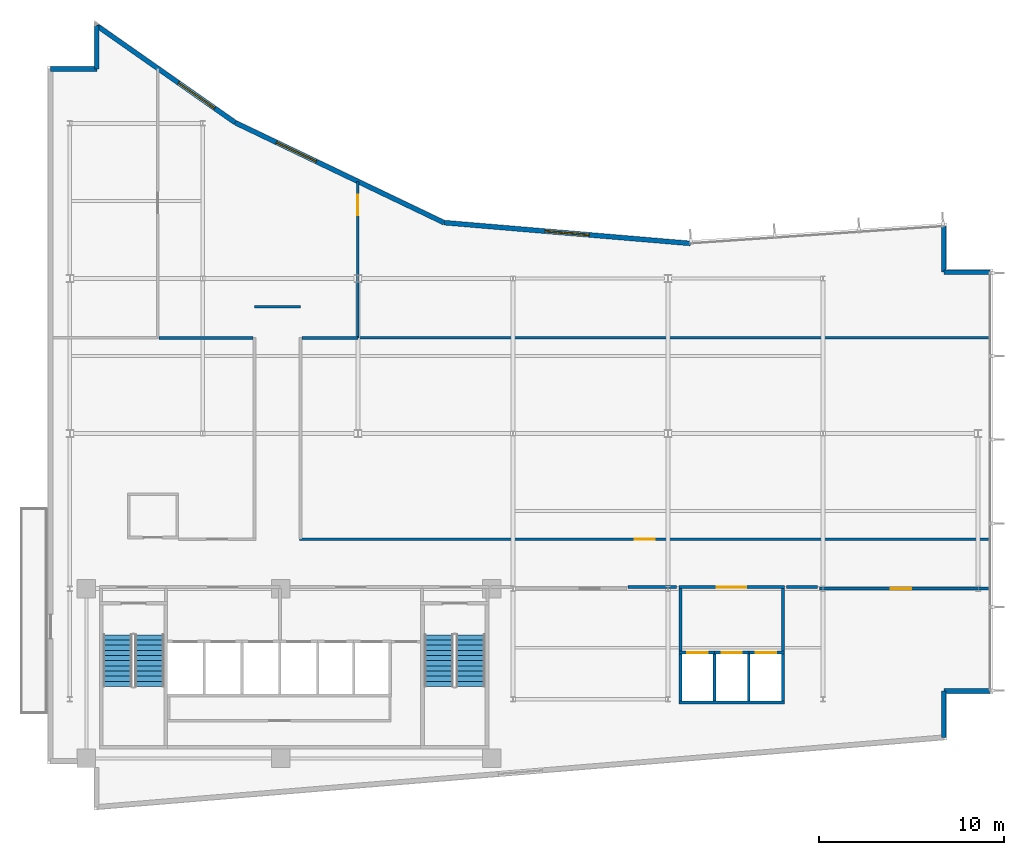
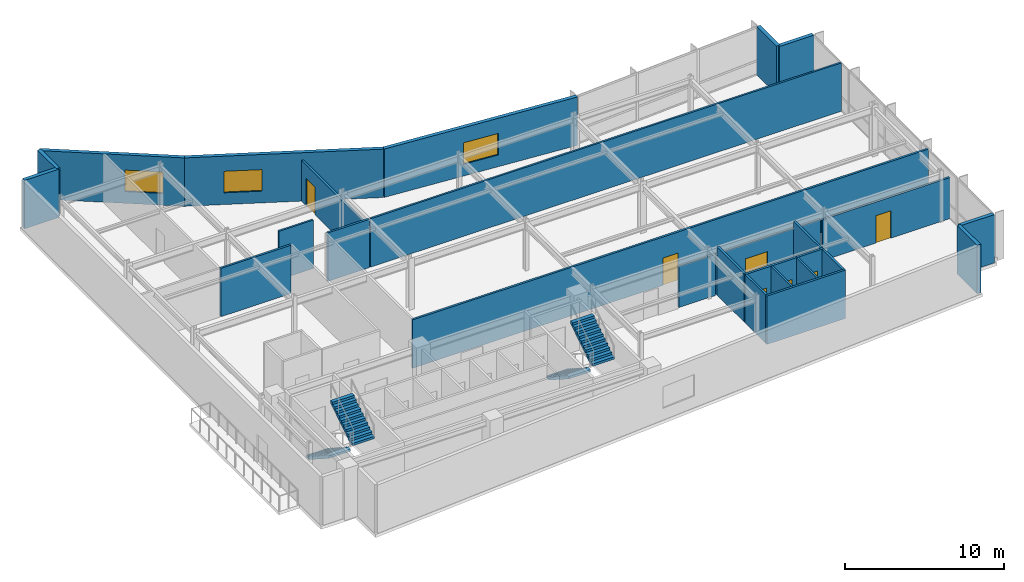
# One storey, part 12 of 16: 29 walls, 7 doors, 4 stair flights, 3 windows, 10 openings, 2 elements without a shape of their own.
"""IFC4 building model written with IfcOpenShell, lengths in metres."""

import ifcopenshell
import ifcopenshell.guid

model = None  # the IFC model being written
_history = None  # IfcOwnerHistory: only IFC2X3 demands one
_inside = {}  # id of a spatial element -> (the spatial element, [elements in it])
_under = {}  # id of a project, library or spatial element -> (it, [spatial elements below it])
_declared = {}  # id of a project -> (the project, [libraries it declares])
_typed = {}  # id of a type object -> (the type object, [elements of that type])
_made_of = {}  # id of a material, layer set ... -> (it, [elements and type objects made of it])


def new_model(schema):
    """Start an empty IFC model of exactly this schema.

    Asked for "IFC4X3", IfcOpenShell would pick the latest addendum, in which some entities
    have other attributes; the version numbers below select the first issue.
    IFC2X3 requires an IfcOwnerHistory on every rooted entity: one is made here for all.
    """
    global model, _history
    if schema == "IFC4X3":
        model = ifcopenshell.file(schema_version=(4, 3, 0, 0))
    else:
        model = ifcopenshell.file(schema=schema)
    _inside.clear()
    _under.clear()
    _declared.clear()
    _typed.clear()
    _made_of.clear()
    _history = None
    if model.schema == "IFC2X3":
        org = make("IfcOrganization", Name="unknown")
        user = make(
            "IfcPersonAndOrganization",
            ThePerson=make("IfcPerson", FamilyName="unknown"),
            TheOrganization=org,
        )
        app = make(
            "IfcApplication",
            ApplicationDeveloper=org,
            Version="unknown",
            ApplicationFullName="unknown",
            ApplicationIdentifier="unknown",
        )
        _history = make(
            "IfcOwnerHistory",
            OwningUser=user,
            OwningApplication=app,
            ChangeAction="ADDED",
            CreationDate=0,
        )
    return model


def make(cls, **values):
    """One entity of the class cls with the attributes given. An attribute that is None is left unset."""
    return model.create_entity(
        cls, **{name: value for name, value in values.items() if value is not None}
    )


def rooted(cls, **values):
    """An entity with a GlobalId (a new one), such as an element, a storey or a relation."""
    return make(cls, GlobalId=ifcopenshell.guid.new(), OwnerHistory=_history, **values)


def si_unit(unit_type, name, prefix=None):
    """IfcSIUnit, for example si_unit("LENGTHUNIT", "METRE", prefix="MILLI")."""
    return make("IfcSIUnit", UnitType=unit_type, Prefix=prefix, Name=name)


def assignment(units):
    """IfcUnitAssignment: the units of a project."""
    return None if units is None else make("IfcUnitAssignment", Units=units)


def point(xyz):
    """IfcCartesianPoint."""
    return None if xyz is None else make("IfcCartesianPoint", Coordinates=xyz)


def direction(xyz):
    """IfcDirection."""
    return None if xyz is None else make("IfcDirection", DirectionRatios=xyz)


def frame(location, z_axis=None, x_axis=None):
    """IfcAxis2Placement3D, a coordinate frame: its origin and axes. An axis left out is left unset."""
    return make(
        "IfcAxis2Placement3D",
        Location=point(location),
        Axis=direction(z_axis),
        RefDirection=direction(x_axis),
    )


def frame_2d(location, x_axis=None):
    """IfcAxis2Placement2D, a coordinate frame in the plane: its origin and x axis."""
    return make(
        "IfcAxis2Placement2D", Location=point(location), RefDirection=direction(x_axis)
    )


def origin():
    """The frame at (0, 0, 0) with its axes left unset."""
    return frame((0.0, 0.0, 0.0))


def place(relative_to, where):
    """IfcLocalPlacement: puts the frame where relative to a parent placement (None: the world)."""
    return make(
        "IfcLocalPlacement", PlacementRelTo=relative_to, RelativePlacement=where
    )


def context(
    kind, dimensions, precision=None, world=None, true_north=None, identifier=None
):
    """IfcGeometricRepresentationContext, for example the 3D "Model" context."""
    return make(
        "IfcGeometricRepresentationContext",
        ContextIdentifier=identifier,
        ContextType=kind,
        CoordinateSpaceDimension=dimensions,
        Precision=precision,
        WorldCoordinateSystem=world,
        TrueNorth=true_north,
    )


def subcontext(parent, identifier, kind, view, scale=None):
    """IfcGeometricRepresentationSubContext, for example "Body" below "Model"."""
    return make(
        "IfcGeometricRepresentationSubContext",
        ContextIdentifier=identifier,
        ContextType=kind,
        ParentContext=parent,
        TargetScale=scale,
        TargetView=view,
    )


def project(units=None, contexts=None):
    """IfcProject with its units and contexts."""
    return rooted(
        "IfcProject",
        Name="project",
        RepresentationContexts=contexts,
        UnitsInContext=assignment(units),
    )


def spatial(cls, under=None, at=None, **own):
    """A site, building, storey or space (cls), placed at a placement, below another one or the project."""
    s = rooted(cls, ObjectPlacement=at, **own)
    if under is not None:
        _under.setdefault(under.id(), (under, []))[1].append(s)
    return s


def polyline(points):
    """IfcPolyline through the points."""
    return make("IfcPolyline", Points=[point(p) for p in points])


def profile(cls, at=None, kind="AREA", **sizes):
    """A parametric profile (cls). Its sizes go by their IFC names, for example OverallWidth=200.0."""
    return make(cls, ProfileType=kind, Position=at, **sizes)


def rectangle(**sizes):
    """IfcRectangleProfileDef."""
    return profile("IfcRectangleProfileDef", **sizes)


def outline(outer, holes=None, kind="AREA"):
    """IfcArbitraryClosedProfileDef: a profile drawn as a closed curve; with holes, ...WithVoids."""
    if holes is None:
        return make("IfcArbitraryClosedProfileDef", ProfileType=kind, OuterCurve=outer)
    return make(
        "IfcArbitraryProfileDefWithVoids",
        ProfileType=kind,
        OuterCurve=outer,
        InnerCurves=holes,
    )


def extrude(swept, where, along, depth):
    """IfcExtrudedAreaSolid: the profile swept, set in the frame where, extruded along a direction by depth."""
    return make(
        "IfcExtrudedAreaSolid",
        SweptArea=swept,
        Position=where,
        ExtrudedDirection=direction(along),
        Depth=depth,
    )


def shape(context_of_items, identifier, shape_type, items):
    """IfcShapeRepresentation: the items that make up one representation, for example the "Body"."""
    return make(
        "IfcShapeRepresentation",
        ContextOfItems=context_of_items,
        RepresentationIdentifier=identifier,
        RepresentationType=shape_type,
        Items=items,
    )


def material(Name=None, Category=None):
    """IfcMaterial."""
    return make("IfcMaterial", Name=Name, Category=Category)


def layer(
    of_material, thickness, ventilated=None, Name=None, Category=None, Priority=None
):
    """IfcMaterialLayer: one layer of a wall or slab, of a material (None: an air gap)."""
    return make(
        "IfcMaterialLayer",
        Material=of_material,
        LayerThickness=thickness,
        IsVentilated=ventilated,
        Name=Name,
        Category=Category,
        Priority=Priority,
    )


def layer_set(layers, Name=None):
    """IfcMaterialLayerSet."""
    return make("IfcMaterialLayerSet", MaterialLayers=layers, LayerSetName=Name)


def made_of(thing, what):
    """Note that an element or type object is made of a material, layer set ...; save() writes the relation."""
    if what is not None:
        _made_of.setdefault(what.id(), (what, []))[1].append(thing)
    return thing


def type_object(cls, material=None, **own):
    """A type object (cls), such as IfcWallType, which elements share."""
    return made_of(rooted(cls, **own), material)


def element(
    cls,
    number,
    at=None,
    inside=None,
    cuts=None,
    type_object=None,
    material=None,
    context=None,
    identifier="Body",
    shape_type=None,
    held_by="IfcProductDefinitionShape",
    body=None,
    shapes=None,
    **own,
):
    """One element of the class cls, such as IfcWall. Its Tag is "e" and its number.

    at: its placement. inside: the storey or other place that contains it. cuts: it is an
    opening in that element (IfcRelVoidsElement). A single representation is given by context,
    identifier, shape_type and body (its items); several are given by shapes. held_by: the class
    of the entity that holds the representations. save() writes the other relations.
    """
    e = rooted(cls, Tag="e%d" % number, ObjectPlacement=at, **own)
    if body is not None:
        shapes = [shape(context, identifier, shape_type, body)]
    if shapes is not None:
        e.Representation = make(held_by, Representations=shapes)
    if inside is not None:
        _inside.setdefault(inside.id(), (inside, []))[1].append(e)
    if cuts is not None:
        rooted(
            "IfcRelVoidsElement", RelatingBuildingElement=cuts, RelatedOpeningElement=e
        )
    if type_object is not None:
        _typed.setdefault(type_object.id(), (type_object, []))[1].append(e)
    return made_of(e, material)


def fill(opening, filler):
    """IfcRelFillsElement: the door or window that sits in an opening."""
    return rooted(
        "IfcRelFillsElement",
        RelatingOpeningElement=opening,
        RelatedBuildingElement=filler,
    )


def aggregate(whole, parts):
    """IfcRelAggregates: a whole, such as a stair, and the parts it consists of."""
    return rooted("IfcRelAggregates", RelatingObject=whole, RelatedObjects=parts)


def save(model, path):
    """Write the relations noted so far, then the file.

    IfcRelAggregates (storeys below a building ...), IfcRelContainedInSpatialStructure (elements
    in a storey), IfcRelDefinesByType, IfcRelAssociatesMaterial and IfcRelDeclares: one each for
    every whole, place, type object, material and project.
    """
    for whole, parts in _under.values():
        aggregate(whole, parts)
    for where, things in _inside.values():
        rooted(
            "IfcRelContainedInSpatialStructure",
            RelatedElements=things,
            RelatingStructure=where,
        )
    for kind, things in _typed.values():
        rooted("IfcRelDefinesByType", RelatedObjects=things, RelatingType=kind)
    for what, things in _made_of.values():
        rooted("IfcRelAssociatesMaterial", RelatedObjects=things, RelatingMaterial=what)
    for by, libraries in _declared.values():
        rooted("IfcRelDeclares", RelatingContext=by, RelatedDefinitions=libraries)
    model.write(path)


model = new_model("IFC4")

# Units and contexts
model_context = context("Model", 3, precision=1e-05, world=origin(), true_north=direction((0.0, 1.0)))
body_context = subcontext(model_context, "Body", "Model", "MODEL_VIEW")
ifc_project = project(units=[si_unit("LENGTHUNIT", "METRE"), si_unit("AREAUNIT", "SQUARE_METRE"), si_unit("VOLUMEUNIT", "CUBIC_METRE"), si_unit("PLANEANGLEUNIT", "RADIAN"), si_unit("MASSUNIT", "GRAM", prefix="KILO")], contexts=[model_context])

# Site, building, storey
site_placement = place(None, origin())
site = spatial("IfcSite", under=ifc_project, at=site_placement, CompositionType="ELEMENT")
building_placement = place(site_placement, origin())
building = spatial("IfcBuilding", under=site, at=building_placement, Name="Varnakote Quay Hospital", CompositionType="ELEMENT")
storey_placement = place(building_placement, frame((0.0, 0.0, 180.25)))
storey = spatial("IfcBuildingStorey", under=building, at=storey_placement, Name="L44", CompositionType="ELEMENT", Elevation=180.25)

# Walls
ifc_material_1 = material(Name="Fire-rated acoustic gypsum stud wall", Category="gypsum")
ifc_layer_1 = layer(ifc_material_1, 0.159912109375)
ifc_layer_set_1 = layer_set([ifc_layer_1], Name="Fire-rated acoustic gypsum stud wall")
wall_type_1 = type_object("IfcWallType", Name="WL-COMP-160", PredefinedType="PARTITIONING", material=ifc_layer_set_1)
for number, where, z_axis, x_axis, name in (
    (1, (34.27001953125, 8.610107421875, 0.0), (0.0, 0.0, 1.0), (0.0, 1.0, 0.0), "L44 Mid-Rise Lift Lobby West Wall"),
    (2, (39.830078125, 8.610107421875, 0.0), (0.0, 0.0, 1.0), (0.0, 1.0, 0.0), "L44 Mid-Rise Lift Lobby East Wall"),
):
    element("IfcWall", number, at=place(storey_placement, frame(where, z_axis=z_axis, x_axis=x_axis)), inside=storey, type_object=wall_type_1, Name=name, PredefinedType="PARTITIONING", context=body_context, shape_type="SweptSolid", body=[
        extrude(rectangle(XDim=3.389892578125, YDim=0.159912109375, at=frame_2d((1.69482421875, 0.0))), origin(), (0.0, 0.0, 1.0), 3.7099609375),
    ])

# Wall, opening, door
wall_1_placement = place(storey_placement, frame((34.18994140625, 12.080078125, 0.0), z_axis=(0.0, 0.0, 1.0), x_axis=(1.0, 0.0, 0.0)))
wall_1 = element("IfcWall", 3, at=wall_1_placement, inside=storey, type_object=wall_type_1, Name="L44 Mid-Rise Lift Lobby North Wall", PredefinedType="PARTITIONING", context=body_context, shape_type="SweptSolid", body=[
    extrude(rectangle(XDim=5.719970703125, YDim=0.159912109375, at=frame_2d((2.85986328125, 0.0))), origin(), (0.0, 0.0, 1.0), 3.152099609375),
])
opening_1_placement = place(wall_1_placement, frame((2.06005859375, 0.0, 0.0)))
opening_1 = element("IfcOpeningElement", 4, at=opening_1_placement, cuts=wall_1, Name="Opening D-PML-L44", PredefinedType="OPENING", context=body_context, shape_type="SweptSolid", body=[
    extrude(rectangle(XDim=1.60009765625, YDim=2.050048828125, at=frame_2d((0.800048828125, 1.02490234375))), frame((0.0, 0.08984375, 0.0), z_axis=(0.0, -1.0, 0.0), x_axis=(1.0, 0.0, 0.0)), (0.0, 0.0, 1.0), 0.179931640625),
])
ifc_material_2 = material(Name="Fire-rated double smoke lobby door")
door_type_1 = type_object("IfcDoorType", Name="DR-LOBBY-FD60S-1600x2150", OperationType="NOTDEFINED", PredefinedType="DOOR", material=ifc_material_2)
door_1_placement = place(opening_1_placement, origin())
door_1 = element("IfcDoor", 5, at=door_1_placement, inside=storey, type_object=door_type_1, Name="L44 Mid-Rise Passenger Concourse Vestibule Door", OperationType="DOUBLE_DOOR_SINGLE_SWING", OverallHeight=2.050048828125, OverallWidth=1.60009765625, PredefinedType="DOOR", context=body_context, shape_type="SweptSolid", body=[
    extrude(rectangle(XDim=1.60009765625, YDim=2.050048828125, at=frame_2d((0.800048828125, 1.02490234375))), frame((0.0, 0.02490234375, 0.0), z_axis=(0.0, -1.0, 0.0), x_axis=(1.0, 0.0, 0.0)), (0.0, 0.0, 1.0), 0.050048828125),
])
fill(opening_1, door_1)

# Walls
wall_2_placement = place(storey_placement, frame((31.439208984375, 12.080078125, 0.0), z_axis=(0.0, 0.0, 1.0), x_axis=(1.0, 0.0, 0.0)))
element("IfcWall", 6, at=wall_2_placement, inside=storey, type_object=wall_type_1, Name="L44 Corridor South Gap Wall", PredefinedType="PARTITIONING", context=body_context, shape_type="SweptSolid", body=[
    extrude(rectangle(XDim=2.630859375, YDim=0.159912109375, at=frame_2d((1.3154296875, 0.0))), origin(), (0.0, 0.0, 1.0), 3.152099609375),
])
wall_3_placement = place(storey_placement, frame((40.030029296875, 12.080078125, 0.0), z_axis=(0.0, 0.0, 1.0), x_axis=(1.0, 0.0, 0.0)))
element("IfcWall", 7, at=wall_3_placement, inside=storey, type_object=wall_type_1, Name="L44 Corridor South Gap Wall", PredefinedType="PARTITIONING", context=body_context, shape_type="SweptSolid", body=[
    extrude(rectangle(XDim=1.6806640625, YDim=0.159912109375, at=frame_2d((0.84033203125, 0.0))), origin(), (0.0, 0.0, 1.0), 3.152099609375),
])
ifc_material_3 = material(Name="Precast concrete N50 (f'c 50 MPa)", Category="concrete")
ifc_layer_2 = layer(ifc_material_3, 0.260009765625)
ifc_layer_set_2 = layer_set([ifc_layer_2], Name="Precast concrete N50 (f'c 50 MPa)")
wall_type_2 = type_object("IfcWallType", Name="WL-EXT-BRICK-260", PredefinedType="STANDARD", material=ifc_layer_set_2)
wall_4_placement = place(storey_placement, frame((48.5400390625, 3.947509765625, 0.0), z_axis=(0.0, 0.0, 1.0), x_axis=(0.0, 1.0, 0.0)))
element("IfcWall", 8, at=wall_4_placement, inside=storey, type_object=wall_type_2, Name="L44 Brick-Faced Precast Exterior Wall", PredefinedType="STANDARD", context=body_context, shape_type="SweptSolid", body=[
    extrude(rectangle(XDim=2.512451171875, YDim=0.260009765625, at=frame_2d((1.25634765625, 0.0))), origin(), (0.0, 0.0, 1.0), 3.7099609375),
])
for number, where, z_axis, x_axis, name in (
    (9, (48.5400390625, 6.4599609375, 0.0), (0.0, 0.0, 1.0), (1.0, 0.0, 0.0), "L44 Brick-Faced Precast Exterior Wall"),
    (10, (51.0400390625, 29.139892578125, 0.0), (0.0, 0.0, 1.0), (-1.0, 0.0, 0.0), "L44 Brick-Faced Precast Exterior Wall"),
):
    element("IfcWall", number, at=place(storey_placement, frame(where, z_axis=z_axis, x_axis=x_axis)), inside=storey, type_object=wall_type_2, Name=name, PredefinedType="STANDARD", context=body_context, shape_type="SweptSolid", body=[
        extrude(rectangle(XDim=2.5, YDim=0.260009765625, at=frame_2d((1.25, 0.0))), origin(), (0.0, 0.0, 1.0), 3.7099609375),
    ])
wall_5_placement = place(storey_placement, frame((48.5400390625, 29.139892578125, 0.0), z_axis=(0.0, 0.0, 1.0), x_axis=(0.0, 1.0, 0.0)))
element("IfcWall", 11, at=wall_5_placement, inside=storey, type_object=wall_type_2, Name="L44 Brick-Faced Precast Exterior Wall", PredefinedType="STANDARD", context=body_context, shape_type="SweptSolid", body=[
    extrude(rectangle(XDim=2.489013671875, YDim=0.260009765625, at=frame_2d((1.24462890625, 0.0))), origin(), (0.0, 0.0, 1.0), 3.7099609375),
])

# Wall, opening, window
wall_6_placement = place(storey_placement, frame((34.814697265625, 30.695556640625, 0.0), z_axis=(0.0, 0.0, 1.0), x_axis=(-0.996454704935, 0.084130975344, 0.0)))
wall_6 = element("IfcWall", 12, at=wall_6_placement, inside=storey, type_object=wall_type_2, Name="L44 Brick-Faced Precast Exterior Wall", PredefinedType="STANDARD", context=body_context, shape_type="SweptSolid", body=[
    extrude(rectangle(XDim=13.401123046875, YDim=0.260009765625, at=frame_2d((6.70068359375, 0.0))), origin(), (0.0, 0.0, 1.0), 3.7099609375),
])
opening_2_placement = place(wall_6_placement, frame((5.50048828125, 0.0, 0.89990234375)))
opening_2 = element("IfcOpeningElement", 13, at=opening_2_placement, cuts=wall_6, Name="Opening WN-0183", PredefinedType="OPENING", context=body_context, shape_type="SweptSolid", body=[
    extrude(rectangle(XDim=2.39990234375, YDim=1.64990234375, at=frame_2d((1.199951171875, 0.824951171875))), frame((0.0, 0.139892578125, 0.0), z_axis=(0.0, -1.0, 0.0), x_axis=(1.0, 0.0, 0.0)), (0.0, 0.0, 1.0), 0.280029296875),
])
ifc_material_4 = material(Name="Double-glazed low-E solar glass", Category="glass")
window_type = type_object("IfcWindowType", Name="WIN-CLIN-2400x1650", PartitioningType="SINGLE_PANEL", PredefinedType="WINDOW", material=ifc_material_4)
window_1_placement = place(opening_2_placement, origin())
window_1 = element("IfcWindow", 14, at=window_1_placement, inside=storey, type_object=window_type, Name="L44 Solar-Control Clinical Window", OverallHeight=1.64990234375, OverallWidth=2.39990234375, PartitioningType="SINGLE_PANEL", PredefinedType="WINDOW", context=body_context, shape_type="SweptSolid", body=[
    extrude(rectangle(XDim=2.39990234375, YDim=1.64990234375, at=frame_2d((1.199951171875, 0.824951171875))), frame((0.0, 0.030029296875, 0.0), z_axis=(0.0, -1.0, 0.0), x_axis=(1.0, 0.0, 0.0)), (0.0, 0.0, 1.0), 0.06005859375),
])
fill(opening_2, window_1)

wall_7_placement = place(storey_placement, frame((21.461181640625, 31.822998046875, 0.0), z_axis=(0.0, 0.0, 1.0), x_axis=(-0.901858094827, 0.432032379336, 0.0)))
wall_7 = element("IfcWall", 15, at=wall_7_placement, inside=storey, type_object=wall_type_2, Name="L44 Brick-Faced Precast Exterior Wall", PredefinedType="STANDARD", context=body_context, shape_type="SweptSolid", body=[
    extrude(rectangle(XDim=12.5322265625, YDim=0.260009765625, at=frame_2d((6.26611328125, 0.0))), origin(), (0.0, 0.0, 1.0), 3.7099609375),
])
opening_3_placement = place(wall_7_placement, frame((7.660400390625, 0.0, 0.89990234375)))
opening_3 = element("IfcOpeningElement", 16, at=opening_3_placement, cuts=wall_7, Name="Opening WN-0184", PredefinedType="OPENING", context=body_context, shape_type="SweptSolid", body=[
    extrude(rectangle(XDim=2.39990234375, YDim=1.64990234375, at=frame_2d((1.199951171875, 0.824951171875))), frame((0.0, 0.139892578125, 0.0), z_axis=(0.0, -1.0, 0.0), x_axis=(1.0, 0.0, 0.0)), (0.0, 0.0, 1.0), 0.280029296875),
])
window_2_placement = place(opening_3_placement, origin())
window_2 = element("IfcWindow", 17, at=window_2_placement, inside=storey, type_object=window_type, Name="L44 Solar-Control Clinical Window", OverallHeight=1.64990234375, OverallWidth=2.39990234375, PartitioningType="SINGLE_PANEL", PredefinedType="WINDOW", context=body_context, shape_type="SweptSolid", body=[
    extrude(rectangle(XDim=2.39990234375, YDim=1.64990234375, at=frame_2d((1.199951171875, 0.824951171875))), frame((0.0, 0.030029296875, 0.0), z_axis=(0.0, -1.0, 0.0), x_axis=(1.0, 0.0, 0.0)), (0.0, 0.0, 1.0), 0.06005859375),
])
fill(opening_3, window_2)

wall_8_placement = place(storey_placement, frame((10.158935546875, 37.2373046875, 0.0), z_axis=(0.0, 0.0, 1.0), x_axis=(-0.818933702389, 0.57388813465, 0.0)))
wall_8 = element("IfcWall", 18, at=wall_8_placement, inside=storey, type_object=wall_type_2, Name="L44 Brick-Faced Precast Exterior Wall", PredefinedType="STANDARD", context=body_context, shape_type="SweptSolid", body=[
    extrude(rectangle(XDim=9.156982421875, YDim=0.260009765625, at=frame_2d((4.57861328125, 0.0))), origin(), (0.0, 0.0, 1.0), 3.7099609375),
])
opening_4_placement = place(wall_8_placement, frame((1.353759765625, 0.0, 0.89990234375)))
opening_4 = element("IfcOpeningElement", 19, at=opening_4_placement, cuts=wall_8, Name="Opening WN-0185", PredefinedType="OPENING", context=body_context, shape_type="SweptSolid", body=[
    extrude(rectangle(XDim=2.39990234375, YDim=1.64990234375, at=frame_2d((1.199951171875, 0.824951171875))), frame((0.0, 0.139892578125, 0.0), z_axis=(0.0, -1.0, 0.0), x_axis=(1.0, 0.0, 0.0)), (0.0, 0.0, 1.0), 0.280029296875),
])
window_3_placement = place(opening_4_placement, origin())
window_3 = element("IfcWindow", 20, at=window_3_placement, inside=storey, type_object=window_type, Name="L44 Solar-Control Clinical Window", OverallHeight=1.64990234375, OverallWidth=2.39990234375, PartitioningType="SINGLE_PANEL", PredefinedType="WINDOW", context=body_context, shape_type="SweptSolid", body=[
    extrude(rectangle(XDim=2.39990234375, YDim=1.64990234375, at=frame_2d((1.199951171875, 0.824951171875))), frame((0.0, 0.030029296875, 0.0), z_axis=(0.0, -1.0, 0.0), x_axis=(1.0, 0.0, 0.0)), (0.0, 0.0, 1.0), 0.06005859375),
])
fill(opening_4, window_3)

# Walls
wall_9_placement = place(storey_placement, frame((2.659912109375, 42.492431640625, 0.0), z_axis=(0.0, 0.0, 1.0), x_axis=(0.0, -1.0, 0.0)))
element("IfcWall", 21, at=wall_9_placement, inside=storey, type_object=wall_type_2, Name="L44 Brick-Faced Precast Exterior Wall", PredefinedType="STANDARD", context=body_context, shape_type="SweptSolid", body=[
    extrude(rectangle(XDim=2.3525390625, YDim=0.260009765625, at=frame_2d((1.17626953125, 0.0))), origin(), (0.0, 0.0, 1.0), 3.7099609375),
])
wall_10_placement = place(storey_placement, frame((2.659912109375, 40.139892578125, 0.0), z_axis=(0.0, 0.0, 1.0), x_axis=(-1.0, 0.0, 0.0)))
element("IfcWall", 22, at=wall_10_placement, inside=storey, type_object=wall_type_2, Name="L44 Brick-Faced Precast Exterior Wall", PredefinedType="STANDARD", context=body_context, shape_type="SweptSolid", body=[
    extrude(rectangle(XDim=2.5, YDim=0.260009765625, at=frame_2d((1.25, 0.0))), origin(), (0.0, 0.0, 1.0), 3.7099609375),
])
ifc_material_5 = material(Name="Concrete N50 (f'c 50 MPa)", Category="concrete")
ifc_layer_3 = layer(ifc_material_5, 0.14990234375)
ifc_layer_set_3 = layer_set([ifc_layer_3], Name="Concrete N50 (f'c 50 MPa)")
wall_type_3 = type_object("IfcWallType", Name="WL-SHAFT-N50-150", PredefinedType="SHEAR", material=ifc_layer_set_3)
for number, where, z_axis, x_axis, name in (
    (23, (36.125, 5.89990234375, 0.0), (0.0, 0.0, 1.0), (0.0, 1.0, 0.0), "L44 LF-PM1 Hoistway Divider Wall"),
    (24, (37.97509765625, 5.89990234375, 0.0), (0.0, 0.0, 1.0), (0.0, 1.0, 0.0), "L44 LF-PM2 Hoistway Divider Wall"),
):
    element("IfcWall", number, at=place(storey_placement, frame(where, z_axis=z_axis, x_axis=x_axis)), inside=storey, type_object=wall_type_3, Name=name, PredefinedType="SHEAR", context=body_context, shape_type="SweptSolid", body=[
        extrude(rectangle(XDim=2.550048828125, YDim=0.14990234375, at=frame_2d((1.27490234375, 0.0))), origin(), (0.0, 0.0, 1.0), 3.7099609375),
    ])
ifc_material_6 = material(Name="Concrete N50 (f'c 50 MPa)", Category="concrete")
ifc_layer_4 = layer(ifc_material_6, 0.159912109375)
ifc_layer_set_4 = layer_set([ifc_layer_4], Name="Concrete N50 (f'c 50 MPa)")
wall_type_4 = type_object("IfcWallType", Name="WL-SHAFT-N50-160", PredefinedType="SHEAR", material=ifc_layer_set_4)
wall_11_placement = place(storey_placement, frame((34.18994140625, 5.820068359375, 0.0), z_axis=(0.0, 0.0, 1.0), x_axis=(1.0, 0.0, 0.0)))
element("IfcWall", 25, at=wall_11_placement, inside=storey, type_object=wall_type_4, Name="L44 MID Lift Bank Back Shear Wall", PredefinedType="SHEAR", context=body_context, shape_type="SweptSolid", body=[
    extrude(rectangle(XDim=5.719970703125, YDim=0.159912109375, at=frame_2d((2.85986328125, 0.0))), origin(), (0.0, 0.0, 1.0), 3.7099609375),
])
for number, where, z_axis, x_axis, name in (
    (26, (34.27001953125, 5.89990234375, 0.0), (0.0, 0.0, 1.0), (0.0, 1.0, 0.0), "L44 MID Lift Bank West Shear Wall"),
    (27, (39.830078125, 5.89990234375, 0.0), (0.0, 0.0, 1.0), (0.0, 1.0, 0.0), "L44 MID Lift Bank East Shear Wall"),
):
    element("IfcWall", number, at=place(storey_placement, frame(where, z_axis=z_axis, x_axis=x_axis)), inside=storey, type_object=wall_type_4, Name=name, PredefinedType="SHEAR", context=body_context, shape_type="SweptSolid", body=[
        extrude(rectangle(XDim=2.550048828125, YDim=0.159912109375, at=frame_2d((1.27490234375, 0.0))), origin(), (0.0, 0.0, 1.0), 3.7099609375),
    ])

# Wall, opening, door
wall_12_placement = place(storey_placement, frame((34.18994140625, 8.530029296875, 0.0), z_axis=(0.0, 0.0, 1.0), x_axis=(1.0, 0.0, 0.0)))
wall_12 = element("IfcWall", 28, at=wall_12_placement, inside=storey, type_object=wall_type_4, Name="L44 LF-PM1 Hoistway Front Wall", PredefinedType="SHEAR", context=body_context, shape_type="SweptSolid", body=[
    extrude(rectangle(XDim=1.93505859375, YDim=0.159912109375, at=frame_2d((0.967529296875, 0.0))), origin(), (0.0, 0.0, 1.0), 3.7099609375),
])
opening_5_placement = place(wall_12_placement, frame((0.4599609375, 0.0, 0.0)))
opening_5 = element("IfcOpeningElement", 29, at=opening_5_placement, cuts=wall_12, Name="Opening LD-PM1-L44", PredefinedType="OPENING", context=body_context, shape_type="SweptSolid", body=[
    extrude(rectangle(XDim=1.10009765625, YDim=2.14990234375, at=frame_2d((0.550048828125, 1.074951171875))), frame((0.0, 0.08984375, 0.0), z_axis=(0.0, -1.0, 0.0), x_axis=(1.0, 0.0, 0.0)), (0.0, 0.0, 1.0), 0.179931640625),
])
ifc_material_7 = material(Name="Brushed bronze lift landing sliding door")
door_type_2 = type_object("IfcDoorType", Name="DR-LIFT-LD-1100x2150", OperationType="NOTDEFINED", PredefinedType="DOOR", material=ifc_material_7)
door_2_placement = place(opening_5_placement, origin())
door_2 = element("IfcDoor", 30, at=door_2_placement, inside=storey, type_object=door_type_2, Name="L44 LF-PM1 Lift Landing Sliding Door", OperationType="SLIDING_TO_LEFT", OverallHeight=2.14990234375, OverallWidth=1.10009765625, PredefinedType="DOOR", context=body_context, shape_type="SweptSolid", body=[
    extrude(rectangle(XDim=1.10009765625, YDim=2.14990234375, at=frame_2d((0.550048828125, 1.074951171875))), frame((0.0, 0.02490234375, 0.0), z_axis=(0.0, -1.0, 0.0), x_axis=(1.0, 0.0, 0.0)), (0.0, 0.0, 1.0), 0.050048828125),
])
fill(opening_5, door_2)

wall_13_placement = place(storey_placement, frame((36.125, 8.530029296875, 0.0), z_axis=(0.0, 0.0, 1.0), x_axis=(1.0, 0.0, 0.0)))
wall_13 = element("IfcWall", 31, at=wall_13_placement, inside=storey, type_object=wall_type_4, Name="L44 LF-PM2 Hoistway Front Wall", PredefinedType="SHEAR", context=body_context, shape_type="SweptSolid", body=[
    extrude(rectangle(XDim=1.85009765625, YDim=0.159912109375, at=frame_2d((0.925048828125, 0.0))), origin(), (0.0, 0.0, 1.0), 3.7099609375),
])
opening_6_placement = place(wall_13_placement, frame((0.375, 0.0, 0.0)))
opening_6 = element("IfcOpeningElement", 32, at=opening_6_placement, cuts=wall_13, Name="Opening LD-PM2-L44", PredefinedType="OPENING", context=body_context, shape_type="SweptSolid", body=[
    extrude(rectangle(XDim=1.10009765625, YDim=2.14990234375, at=frame_2d((0.550048828125, 1.074951171875))), frame((0.0, 0.08984375, 0.0), z_axis=(0.0, -1.0, 0.0), x_axis=(1.0, 0.0, 0.0)), (0.0, 0.0, 1.0), 0.179931640625),
])
door_3_placement = place(opening_6_placement, origin())
door_3 = element("IfcDoor", 33, at=door_3_placement, inside=storey, type_object=door_type_2, Name="L44 LF-PM2 Lift Landing Sliding Door", OperationType="SLIDING_TO_LEFT", OverallHeight=2.14990234375, OverallWidth=1.10009765625, PredefinedType="DOOR", context=body_context, shape_type="SweptSolid", body=[
    extrude(rectangle(XDim=1.10009765625, YDim=2.14990234375, at=frame_2d((0.550048828125, 1.074951171875))), frame((0.0, 0.02490234375, 0.0), z_axis=(0.0, -1.0, 0.0), x_axis=(1.0, 0.0, 0.0)), (0.0, 0.0, 1.0), 0.050048828125),
])
fill(opening_6, door_3)

wall_14_placement = place(storey_placement, frame((37.97509765625, 8.530029296875, 0.0), z_axis=(0.0, 0.0, 1.0), x_axis=(1.0, 0.0, 0.0)))
wall_14 = element("IfcWall", 34, at=wall_14_placement, inside=storey, type_object=wall_type_4, Name="L44 LF-PM3 Hoistway Front Wall", PredefinedType="SHEAR", context=body_context, shape_type="SweptSolid", body=[
    extrude(rectangle(XDim=1.934814453125, YDim=0.159912109375, at=frame_2d((0.96728515625, 0.0))), origin(), (0.0, 0.0, 1.0), 3.7099609375),
])
opening_7_placement = place(wall_14_placement, frame((0.375, 0.0, 0.0)))
opening_7 = element("IfcOpeningElement", 35, at=opening_7_placement, cuts=wall_14, Name="Opening LD-PM3-L44", PredefinedType="OPENING", context=body_context, shape_type="SweptSolid", body=[
    extrude(rectangle(XDim=1.10009765625, YDim=2.14990234375, at=frame_2d((0.550048828125, 1.074951171875))), frame((0.0, 0.08984375, 0.0), z_axis=(0.0, -1.0, 0.0), x_axis=(1.0, 0.0, 0.0)), (0.0, 0.0, 1.0), 0.179931640625),
])
door_4_placement = place(opening_7_placement, origin())
door_4 = element("IfcDoor", 36, at=door_4_placement, inside=storey, type_object=door_type_2, Name="L44 LF-PM3 Lift Landing Sliding Door", OperationType="SLIDING_TO_LEFT", OverallHeight=2.14990234375, OverallWidth=1.10009765625, PredefinedType="DOOR", context=body_context, shape_type="SweptSolid", body=[
    extrude(rectangle(XDim=1.10009765625, YDim=2.14990234375, at=frame_2d((0.550048828125, 1.074951171875))), frame((0.0, 0.02490234375, 0.0), z_axis=(0.0, -1.0, 0.0), x_axis=(1.0, 0.0, 0.0)), (0.0, 0.0, 1.0), 0.050048828125),
])
fill(opening_7, door_4)

# Walls
ifc_material_8 = material(Name="Smoke-proof clinical partition", Category="gypsum")
ifc_layer_5 = layer(ifc_material_8, 0.135009765625)
ifc_layer_set_5 = layer_set([ifc_layer_5], Name="Smoke-proof clinical partition")
wall_type_5 = type_object("IfcWallType", Name="WL-SMOKE-135", PredefinedType="PARTITIONING", material=ifc_layer_set_5)
wall_15_placement = place(storey_placement, frame((13.699951171875, 27.260009765625, 0.0), z_axis=(0.0, 0.0, 1.0), x_axis=(-1.0, 0.0, 0.0)))
element("IfcWall", 37, at=wall_15_placement, inside=storey, type_object=wall_type_5, Name="L44 Clinical Interior Partition", PredefinedType="PARTITIONING", context=body_context, shape_type="SweptSolid", body=[
    extrude(rectangle(XDim=2.5, YDim=0.135009765625, at=frame_2d((1.25, 0.0))), origin(), (0.0, 0.0, 1.0), 3.7099609375),
])
wall_16_placement = place(storey_placement, frame((16.864990234375, 25.580078125, 0.0), z_axis=(0.0, 0.0, 1.0), x_axis=(1.0, 0.0, 0.0)))
element("IfcWall", 38, at=wall_16_placement, inside=storey, type_object=wall_type_5, Name="L44 Clinical Interior Partition", PredefinedType="PARTITIONING", context=body_context, shape_type="SweptSolid", body=[
    extrude(rectangle(XDim=34.175048828125, YDim=0.135009765625, at=frame_2d((17.08740234375, 0.0))), origin(), (0.0, 0.0, 1.0), 3.7099609375),
])

# Wall, opening, door
ifc_material_9 = material(Name="Fire-rated clinical gypsum partition", Category="gypsum")
ifc_layer_6 = layer(ifc_material_9, 0.14990234375)
ifc_layer_set_6 = layer_set([ifc_layer_6], Name="Fire-rated clinical gypsum partition")
wall_type_6 = type_object("IfcWallType", Name="WL-WARD-150", PredefinedType="PARTITIONING", material=ifc_layer_set_6)
wall_17_placement = place(storey_placement, frame((51.0400390625, 12.0, 0.0), z_axis=(0.0, 0.0, 1.0), x_axis=(-1.0, 0.0, 0.0)))
wall_17 = element("IfcWall", 39, at=wall_17_placement, inside=storey, type_object=wall_type_6, Name="L44 Clinical Interior Partition", PredefinedType="PARTITIONING", context=body_context, shape_type="SweptSolid", body=[
    extrude(rectangle(XDim=9.239990234375, YDim=0.14990234375, at=frame_2d((4.6201171875, 0.0))), origin(), (0.0, 0.0, 1.0), 3.152099609375),
])
opening_8_placement = place(wall_17_placement, frame((4.263427734375, 0.0, 0.0)))
opening_8 = element("IfcOpeningElement", 40, at=opening_8_placement, cuts=wall_17, Name="Opening D-L44-SE1", PredefinedType="OPENING", context=body_context, shape_type="SweptSolid", body=[
    extrude(rectangle(XDim=1.10009765625, YDim=2.10009765625, at=frame_2d((0.550048828125, 1.050048828125))), frame((0.0, 0.0849609375, 0.0), z_axis=(0.0, -1.0, 0.0), x_axis=(1.0, 0.0, 0.0)), (0.0, 0.0, 1.0), 0.169921875),
])
ifc_material_10 = material(Name="Acoustic timber clinical consult door", Category="wood")
door_type_3 = type_object("IfcDoorType", Name="DR-CLIN-FD30S-1100x2100", OperationType="NOTDEFINED", PredefinedType="DOOR", material=ifc_material_10)
door_5_placement = place(opening_8_placement, origin())
door_5 = element("IfcDoor", 41, at=door_5_placement, inside=storey, type_object=door_type_3, Name="L44 Clinical Biomedical Engineering Office Door", OperationType="SINGLE_SWING_RIGHT", OverallHeight=2.10009765625, OverallWidth=1.10009765625, PredefinedType="DOOR", context=body_context, shape_type="SweptSolid", body=[
    extrude(rectangle(XDim=1.10009765625, YDim=2.10009765625, at=frame_2d((0.550048828125, 1.050048828125))), frame((0.0, 0.02490234375, 0.0), z_axis=(0.0, -1.0, 0.0), x_axis=(1.0, 0.0, 0.0)), (0.0, 0.0, 1.0), 0.050048828125),
])
fill(opening_8, door_5)

wall_18_placement = place(storey_placement, frame((51.0400390625, 14.679931640625, 0.0), z_axis=(0.0, 0.0, 1.0), x_axis=(-1.0, 0.0, 0.0)))
wall_18 = element("IfcWall", 42, at=wall_18_placement, inside=storey, type_object=wall_type_6, Name="L44 Clinical Interior Partition", PredefinedType="PARTITIONING", context=body_context, shape_type="SweptSolid", body=[
    extrude(rectangle(XDim=37.406005859375, YDim=0.14990234375, at=frame_2d((18.703125, 0.0))), origin(), (0.0, 0.0, 1.0), 3.7099609375),
])
opening_9_placement = place(wall_18_placement, frame((18.153076171875, 0.0, 0.0)))
opening_9 = element("IfcOpeningElement", 43, at=opening_9_placement, cuts=wall_18, Name="Opening D-L44-SKYO", PredefinedType="OPENING", context=body_context, shape_type="SweptSolid", body=[
    extrude(rectangle(XDim=1.10009765625, YDim=2.10009765625, at=frame_2d((0.550048828125, 1.050048828125))), frame((0.0, 0.0849609375, 0.0), z_axis=(0.0, -1.0, 0.0), x_axis=(1.0, 0.0, 0.0)), (0.0, 0.0, 1.0), 0.169921875),
])
door_6_placement = place(opening_9_placement, origin())
door_6 = element("IfcDoor", 44, at=door_6_placement, inside=storey, type_object=door_type_3, Name="L44 Patient Liaison Coordination Office Door", OperationType="SINGLE_SWING_RIGHT", OverallHeight=2.10009765625, OverallWidth=1.10009765625, PredefinedType="DOOR", context=body_context, shape_type="SweptSolid", body=[
    extrude(rectangle(XDim=1.10009765625, YDim=2.10009765625, at=frame_2d((0.550048828125, 1.050048828125))), frame((0.0, 0.02490234375, 0.0), z_axis=(0.0, -1.0, 0.0), x_axis=(1.0, 0.0, 0.0)), (0.0, 0.0, 1.0), 0.050048828125),
])
fill(opening_9, door_6)

wall_19_placement = place(storey_placement, frame((16.800048828125, 25.580078125, 0.0), z_axis=(0.0, 0.0, 1.0), x_axis=(0.0, 1.0, 0.0)))
wall_19 = element("IfcWall", 45, at=wall_19_placement, inside=storey, type_object=wall_type_6, Name="L44 Clinical Interior Partition", PredefinedType="PARTITIONING", context=body_context, shape_type="SweptSolid", body=[
    extrude(rectangle(XDim=8.475830078125, YDim=0.14990234375, at=frame_2d((4.23779296875, 0.0))), origin(), (0.0, 0.0, 1.0), 3.152099609375),
])
opening_10_placement = place(wall_19_placement, frame((6.65283203125, 0.0, 0.0)))
opening_10 = element("IfcOpeningElement", 46, at=opening_10_placement, cuts=wall_19, Name="Opening D-L44-SKYD", PredefinedType="OPENING", context=body_context, shape_type="SweptSolid", body=[
    extrude(rectangle(XDim=1.10009765625, YDim=2.10009765625, at=frame_2d((0.550048828125, 1.050048828125))), frame((0.0, 0.0849609375, 0.0), z_axis=(0.0, -1.0, 0.0), x_axis=(1.0, 0.0, 0.0)), (0.0, 0.0, 1.0), 0.169921875),
])
door_7_placement = place(opening_10_placement, origin())
door_7 = element("IfcDoor", 47, at=door_7_placement, inside=storey, type_object=door_type_3, Name="L44 High-Rise Outpatient Infusion Treatment Ward Door", OperationType="SINGLE_SWING_RIGHT", OverallHeight=2.10009765625, OverallWidth=1.10009765625, PredefinedType="DOOR", context=body_context, shape_type="SweptSolid", body=[
    extrude(rectangle(XDim=1.10009765625, YDim=2.10009765625, at=frame_2d((0.550048828125, 1.050048828125))), frame((0.0, 0.02490234375, 0.0), z_axis=(0.0, -1.0, 0.0), x_axis=(1.0, 0.0, 0.0)), (0.0, 0.0, 1.0), 0.050048828125),
])
fill(opening_10, door_7)

# Walls
wall_20_placement = place(storey_placement, frame((6.02490234375, 25.580078125, 0.0), z_axis=(0.0, 0.0, 1.0), x_axis=(1.0, 0.0, 0.0)))
element("IfcWall", 48, at=wall_20_placement, inside=storey, type_object=wall_type_6, Name="L44 Clinical Interior Partition", PredefinedType="PARTITIONING", context=body_context, shape_type="SweptSolid", body=[
    extrude(rectangle(XDim=5.09521484375, YDim=0.14990234375, at=frame_2d((2.547607421875, 0.0))), origin(), (0.0, 0.0, 1.0), 3.7099609375),
])
wall_21_placement = place(storey_placement, frame((13.780029296875, 25.580078125, 0.0), z_axis=(0.0, 0.0, 1.0), x_axis=(1.0, 0.0, 0.0)))
element("IfcWall", 49, at=wall_21_placement, inside=storey, type_object=wall_type_6, Name="L44 Clinical Interior Partition", PredefinedType="PARTITIONING", context=body_context, shape_type="SweptSolid", body=[
    extrude(rectangle(XDim=3.02001953125, YDim=0.14990234375, at=frame_2d((1.510009765625, 0.0))), origin(), (0.0, 0.0, 1.0), 3.7099609375),
])

# Stair, stair flights
ifc_material_11 = material(Name="Concrete N40 (f'c 40 MPa)", Category="concrete")
stair_type = type_object("IfcStairType", Name="STR-CORE-1580", PredefinedType="HALF_TURN_STAIR", material=ifc_material_11)
stair_1_placement = place(storey_placement, origin())
stair_1 = element("IfcStair", 50, at=stair_1_placement, inside=storey, type_object=stair_type, Name="L44 Fire-Isolated Exit Stair ST-01", PredefinedType="HALF_TURN_STAIR")
ifc_material_12 = material(Name="Concrete N40 (f'c 40 MPa)", Category="concrete")
ifc_layer_7 = layer(ifc_material_12, 0.159912109375)
ifc_layer_set_7 = layer_set([ifc_layer_7], Name="Concrete N40 (f'c 40 MPa)")
stair_flight_type = type_object("IfcStairFlightType", Name="FLT-CORE-1580", PredefinedType="STRAIGHT", material=ifc_layer_set_7)
stair_flight_1_placement = place(storey_placement, frame((3.7900390625, 9.5, 0.0), z_axis=(0.0, 0.0, 1.0), x_axis=(0.0, -1.0, 0.0)))
stair_flight_1 = element("IfcStairFlight", 51, at=stair_flight_1_placement, type_object=stair_flight_type, Name="ST-01 flight 1", NumberOfRisers=11, NumberOfTreads=10, PredefinedType="STRAIGHT", RiserHeight=0.179545455, TreadLength=0.28, context=body_context, shape_type="SweptSolid", body=[
    extrude(outline(polyline([(0.0, 0.0), (0.0, 0.179443359375), (0.280029296875, 0.179443359375), (0.280029296875, 0.359130859375), (0.56005859375, 0.359130859375), (0.56005859375, 0.53857421875), (0.840087890625, 0.53857421875), (0.840087890625, 0.71826171875), (1.1201171875, 0.71826171875), (1.1201171875, 0.897705078125), (1.39990234375, 0.897705078125), (1.39990234375, 1.077392578125), (1.679931640625, 1.077392578125), (1.679931640625, 1.2568359375), (1.9599609375, 1.2568359375), (1.9599609375, 1.436279296875), (2.239990234375, 1.436279296875), (2.239990234375, 1.615966796875), (2.52001953125, 1.615966796875), (2.52001953125, 1.79541015625), (2.800048828125, 1.79541015625), (2.800048828125, 1.97509765625), (2.800048828125, 1.60546875), (0.296142578125, 0.0), (0.0, 0.0)])), frame((0.0, 0.7900390625, 0.0), z_axis=(0.0, -1.0, 0.0), x_axis=(1.0, 0.0, 0.0)), (0.0, 0.0, 1.0), 1.580078125),
])
stair_flight_2_placement = place(storey_placement, frame((5.510009765625, 6.699951171875, 1.97509765625), z_axis=(0.0, 0.0, 1.0), x_axis=(0.0, 1.0, 0.0)))
stair_flight_2 = element("IfcStairFlight", 52, at=stair_flight_2_placement, type_object=stair_flight_type, Name="ST-01 flight 2", NumberOfRisers=11, NumberOfTreads=10, PredefinedType="STRAIGHT", RiserHeight=0.179545455, TreadLength=0.28, context=body_context, shape_type="SweptSolid", body=[
    extrude(outline(polyline([(0.0, 0.0), (0.0, 0.179443359375), (0.280029296875, 0.179443359375), (0.280029296875, 0.359130859375), (0.56005859375, 0.359130859375), (0.56005859375, 0.53857421875), (0.840087890625, 0.53857421875), (0.840087890625, 0.71826171875), (1.1201171875, 0.71826171875), (1.1201171875, 0.897705078125), (1.39990234375, 0.897705078125), (1.39990234375, 1.077392578125), (1.679931640625, 1.077392578125), (1.679931640625, 1.2568359375), (1.9599609375, 1.2568359375), (1.9599609375, 1.436279296875), (2.239990234375, 1.436279296875), (2.239990234375, 1.615966796875), (2.52001953125, 1.615966796875), (2.52001953125, 1.79541015625), (2.800048828125, 1.79541015625), (2.800048828125, 1.97509765625), (2.800048828125, 1.60546875), (0.296142578125, 0.0), (0.0, 0.0)])), frame((0.0, 0.7900390625, 0.0), z_axis=(0.0, -1.0, 0.0), x_axis=(1.0, 0.0, 0.0)), (0.0, 0.0, 1.0), 1.580078125),
])
aggregate(stair_1, [stair_flight_1, stair_flight_2])

stair_2_placement = place(storey_placement, origin())
stair_2 = element("IfcStair", 53, at=stair_2_placement, inside=storey, type_object=stair_type, Name="L44 Fire-Isolated Exit Stair ST-02", PredefinedType="HALF_TURN_STAIR")
stair_flight_3_placement = place(storey_placement, frame((21.18994140625, 9.5, 0.0), z_axis=(0.0, 0.0, 1.0), x_axis=(0.0, -1.0, 0.0)))
stair_flight_3 = element("IfcStairFlight", 54, at=stair_flight_3_placement, type_object=stair_flight_type, Name="ST-02 flight 1", NumberOfRisers=11, NumberOfTreads=10, PredefinedType="STRAIGHT", RiserHeight=0.179545455, TreadLength=0.28, context=body_context, shape_type="SweptSolid", body=[
    extrude(outline(polyline([(0.0, 0.0), (0.0, 0.179443359375), (0.280029296875, 0.179443359375), (0.280029296875, 0.359130859375), (0.56005859375, 0.359130859375), (0.56005859375, 0.53857421875), (0.840087890625, 0.53857421875), (0.840087890625, 0.71826171875), (1.1201171875, 0.71826171875), (1.1201171875, 0.897705078125), (1.39990234375, 0.897705078125), (1.39990234375, 1.077392578125), (1.679931640625, 1.077392578125), (1.679931640625, 1.2568359375), (1.9599609375, 1.2568359375), (1.9599609375, 1.436279296875), (2.239990234375, 1.436279296875), (2.239990234375, 1.615966796875), (2.52001953125, 1.615966796875), (2.52001953125, 1.79541015625), (2.800048828125, 1.79541015625), (2.800048828125, 1.97509765625), (2.800048828125, 1.60546875), (0.296142578125, 0.0), (0.0, 0.0)])), frame((0.0, 0.7900390625, 0.0), z_axis=(0.0, -1.0, 0.0), x_axis=(1.0, 0.0, 0.0)), (0.0, 0.0, 1.0), 1.580078125),
])
stair_flight_4_placement = place(storey_placement, frame((22.909912109375, 6.699951171875, 1.97509765625), z_axis=(0.0, 0.0, 1.0), x_axis=(0.0, 1.0, 0.0)))
stair_flight_4 = element("IfcStairFlight", 55, at=stair_flight_4_placement, type_object=stair_flight_type, Name="ST-02 flight 2", NumberOfRisers=11, NumberOfTreads=10, PredefinedType="STRAIGHT", RiserHeight=0.179545455, TreadLength=0.28, context=body_context, shape_type="SweptSolid", body=[
    extrude(outline(polyline([(0.0, 0.0), (0.0, 0.179443359375), (0.280029296875, 0.179443359375), (0.280029296875, 0.359130859375), (0.56005859375, 0.359130859375), (0.56005859375, 0.53857421875), (0.840087890625, 0.53857421875), (0.840087890625, 0.71826171875), (1.1201171875, 0.71826171875), (1.1201171875, 0.897705078125), (1.39990234375, 0.897705078125), (1.39990234375, 1.077392578125), (1.679931640625, 1.077392578125), (1.679931640625, 1.2568359375), (1.9599609375, 1.2568359375), (1.9599609375, 1.436279296875), (2.239990234375, 1.436279296875), (2.239990234375, 1.615966796875), (2.52001953125, 1.615966796875), (2.52001953125, 1.79541015625), (2.800048828125, 1.79541015625), (2.800048828125, 1.97509765625), (2.800048828125, 1.60546875), (0.296142578125, 0.0), (0.0, 0.0)])), frame((0.0, 0.7900390625, 0.0), z_axis=(0.0, -1.0, 0.0), x_axis=(1.0, 0.0, 0.0)), (0.0, 0.0, 1.0), 1.580078125),
])
aggregate(stair_2, [stair_flight_3, stair_flight_4])

save(model, "model.ifc")
